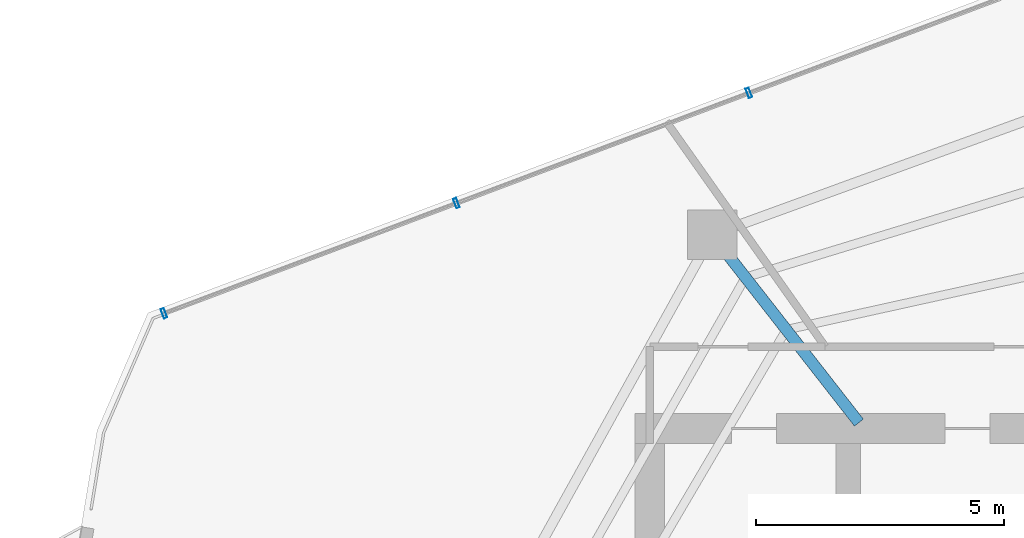
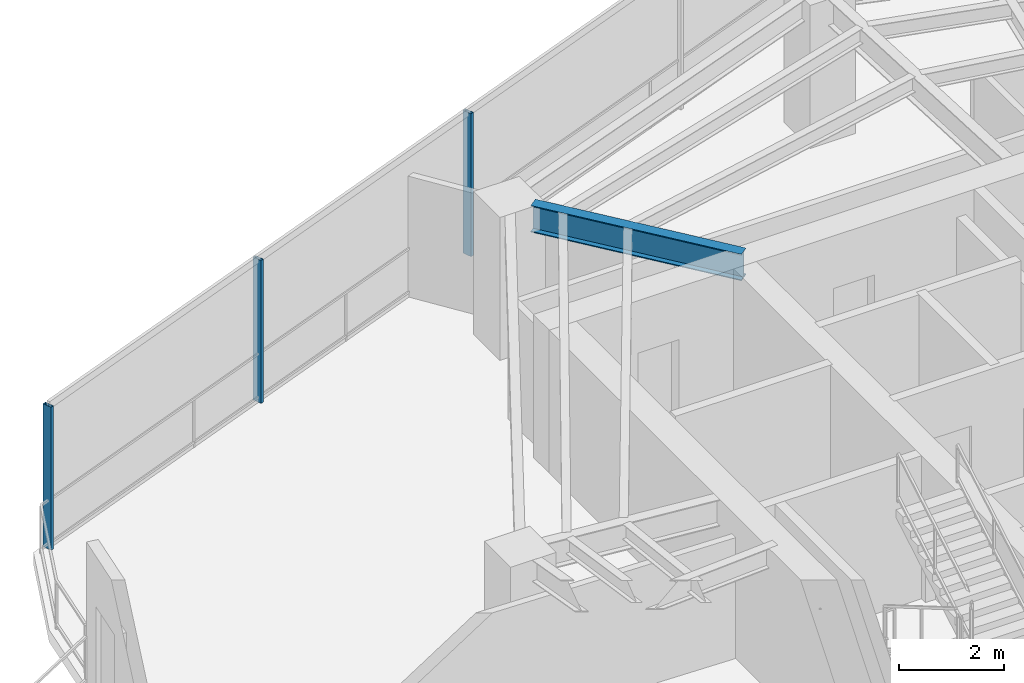
# One storey, part 10 of 19: 3 members, 1 beam, 1 element without a shape of its own.
"""IFC4 building model written with IfcOpenShell, lengths in metres."""

from ifc_helpers import new_model, si_unit, direction, frame, origin, origin_2d, place, context, subcontext, project, spatial, hollow_rectangle, i_section, extrude, material, layer, layer_set, material_profile, profile_set, type_object, element, aggregate, save


model = new_model("IFC4")

# Units and contexts
model_context = context("Model", 3, precision=1e-05, world=origin(), true_north=direction((0.0, 1.0)))
body_context = subcontext(model_context, "Body", "Model", "MODEL_VIEW")
ifc_project = project(units=[si_unit("LENGTHUNIT", "METRE"), si_unit("AREAUNIT", "SQUARE_METRE"), si_unit("VOLUMEUNIT", "CUBIC_METRE"), si_unit("PLANEANGLEUNIT", "RADIAN"), si_unit("MASSUNIT", "GRAM", prefix="KILO")], contexts=[model_context])

# Site, building, storey
site_placement = place(None, origin())
site = spatial("IfcSite", under=ifc_project, at=site_placement, CompositionType="ELEMENT")
building_placement = place(site_placement, origin())
building = spatial("IfcBuilding", under=site, at=building_placement, Name="Qarnah Convention Tower", CompositionType="ELEMENT")
storey_placement = place(building_placement, frame((0.0, 0.0, 143.699951171875)))
storey = spatial("IfcBuildingStorey", under=building, at=storey_placement, Name="L38", CompositionType="ELEMENT", Elevation=143.699951171875)

# Beam
ifc_material_1 = material(Name="Structural steel S355JR", Category="steel")
ifc_material_profile_1 = material_profile(ifc_material_1, i_section(OverallWidth=0.22998046875, OverallDepth=0.617919921875, WebThickness=0.012939453125, FlangeThickness=0.02197265625, at=origin_2d()), Name="W610X140")
ifc_profile_set_1 = profile_set([ifc_material_profile_1], Name="Structural steel S355JR")
beam_type = type_object("IfcBeamType", Name="BM-RAD-W610A", PredefinedType="BEAM", material=ifc_profile_set_1)
beam_placement = place(storey_placement, frame((31.013916015625, 34.318115234375, 3.010986328125), z_axis=(-0.615636368947, 0.788030368215, 0.0), x_axis=(-0.788030368215, -0.615636368947, 0.0)))
element("IfcBeam", 1, at=beam_placement, inside=storey, type_object=beam_type, Name="L38 beam BM-L38-RAD-04", PredefinedType="BEAM", context=body_context, shape_type="SweptSolid", body=[
    extrude(i_section(OverallWidth=0.22998046875, OverallDepth=0.617919921875, WebThickness=0.012939453125, FlangeThickness=0.02197265625, at=origin_2d()), origin(), (0.0, 0.0, 1.0), 4.322265625),
])

# Curtain wall, members
ifc_material_2 = material(Name="Tempered Low-E dark glass", Category="glass")
ifc_layer = layer(ifc_material_2, 0.172119140625)
ifc_layer_set = layer_set([ifc_layer], Name="Tempered Low-E dark glass")
curtain_wall_type = type_object("IfcCurtainWallType", Name="CWS-03", PredefinedType="NOTDEFINED", material=ifc_layer_set)
curtain_wall_placement = place(storey_placement, origin())
curtain_wall = element("IfcCurtainWall", 2, at=curtain_wall_placement, inside=storey, type_object=curtain_wall_type, Name="L38 unitised curtain wall CW-L38-F1", PredefinedType="NOTDEFINED")
ifc_material_3 = material(Name="Black anodised aluminium", Category="aluminium")
ifc_material_profile_2 = material_profile(ifc_material_3, hollow_rectangle(XDim=0.070068359375, YDim=0.199951171875, WallThickness=0.0048828125, at=origin_2d()), Name="MUL-70X200")
ifc_profile_set_2 = profile_set([ifc_material_profile_2], Name="Black anodised aluminium")
member_type = type_object("IfcMemberType", Name="MUL-T3", PredefinedType="MULLION", material=ifc_profile_set_2)
member_1_placement = place(storey_placement, frame((17.012939453125, 36.52099609375, 0.0), z_axis=(0.0, 0.0, 1.0), x_axis=(0.935807265092, 0.352512074404, 0.0)))
member_1 = element("IfcMember", 3, at=member_1_placement, type_object=member_type, Name="CW-L38-F1 mullion 1", PredefinedType="MULLION", context=body_context, shape_type="SweptSolid", body=[
    extrude(hollow_rectangle(XDim=0.070068359375, YDim=0.199951171875, WallThickness=0.0048828125, at=origin_2d()), origin(), (0.0, 0.0, 1.0), 3.320068359375),
])
member_2_placement = place(storey_placement, frame((22.90478515625, 38.740478515625, 0.0), z_axis=(0.0, 0.0, 1.0), x_axis=(0.935807265092, 0.352512074404, 0.0)))
member_2 = element("IfcMember", 4, at=member_2_placement, type_object=member_type, Name="CW-L38-F1 mullion 2", PredefinedType="MULLION", context=body_context, shape_type="SweptSolid", body=[
    extrude(hollow_rectangle(XDim=0.070068359375, YDim=0.199951171875, WallThickness=0.0048828125, at=origin_2d()), origin(), (0.0, 0.0, 1.0), 3.320068359375),
])
member_3_placement = place(storey_placement, frame((28.796630859375, 40.959716796875, 0.0), z_axis=(0.0, 0.0, 1.0), x_axis=(0.935807265092, 0.352512074404, 0.0)))
member_3 = element("IfcMember", 5, at=member_3_placement, type_object=member_type, Name="CW-L38-F1 mullion 3", PredefinedType="MULLION", context=body_context, shape_type="SweptSolid", body=[
    extrude(hollow_rectangle(XDim=0.070068359375, YDim=0.199951171875, WallThickness=0.0048828125, at=origin_2d()), origin(), (0.0, 0.0, 1.0), 3.320068359375),
])
aggregate(curtain_wall, [member_1, member_2, member_3])

save(model, "model.ifc")
